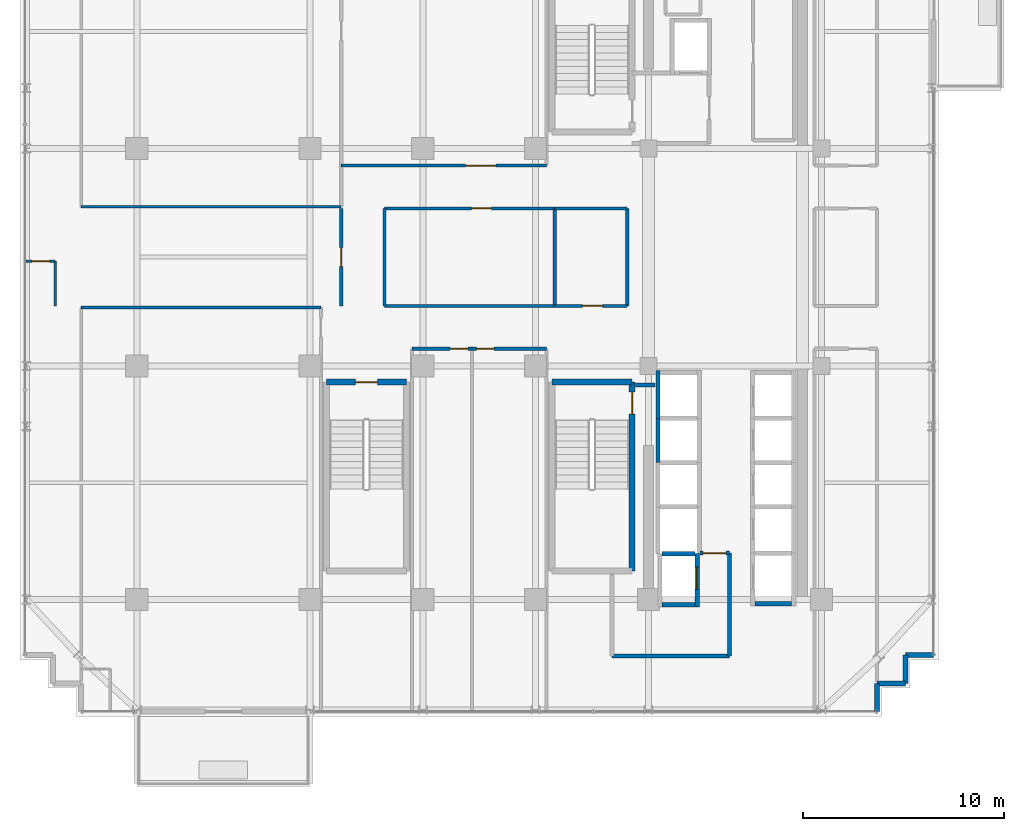
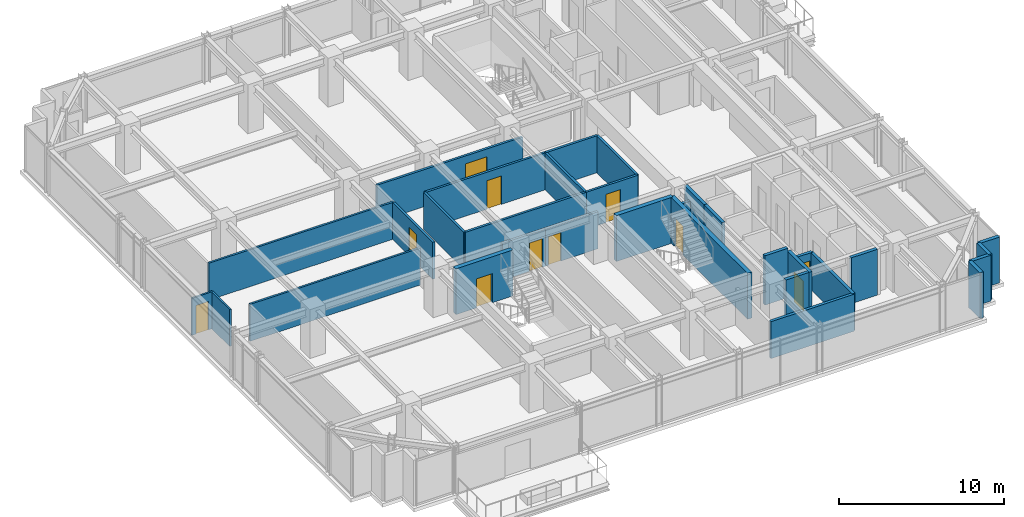
# One storey, part 25 of 31: 32 walls, 11 doors, 11 openings.
"""IFC4 building model written with IfcOpenShell, lengths in metres."""

from ifc_helpers import new_model, si_unit, direction, frame, frame_2d, origin, place, context, subcontext, project, spatial, rectangle, extrude, source, transform, mapped, material, layer, layer_set, type_object, element, fill, save


model = new_model("IFC4")

# Units and contexts
model_context = context("Model", 3, precision=1e-05, world=origin(), true_north=direction((0.0, 1.0)))
body_context = subcontext(model_context, "Body", "Model", "MODEL_VIEW")
ifc_project = project(units=[si_unit("LENGTHUNIT", "METRE"), si_unit("AREAUNIT", "SQUARE_METRE"), si_unit("VOLUMEUNIT", "CUBIC_METRE"), si_unit("PLANEANGLEUNIT", "RADIAN"), si_unit("MASSUNIT", "GRAM", prefix="KILO")], contexts=[model_context])

# Site, building, storey
site_placement = place(None, origin())
site = spatial("IfcSite", under=ifc_project, at=site_placement, CompositionType="ELEMENT")
building_placement = place(site_placement, origin())
building = spatial("IfcBuilding", under=site, at=building_placement, Name="Nahalor Promenade Grand Hotel", CompositionType="ELEMENT")
storey_placement = place(building_placement, frame((0.0, 0.0, 192.800048828125)))
storey = spatial("IfcBuildingStorey", under=building, at=storey_placement, Name="L49", CompositionType="ELEMENT", Elevation=192.800048828125)

# Wall
ifc_material_1 = material(Name="Concrete B-50 (C40/50)", Category="concrete")
ifc_layer_1 = layer(ifc_material_1, 0.300048828125)
ifc_layer_set_1 = layer_set([ifc_layer_1], Name="Concrete B-50 (C40/50)")
wall_type_1 = type_object("IfcWallType", Name="Wall-ShaftShear-300", PredefinedType="SHEAR", material=ifc_layer_set_1)
shared_shape_1 = source(origin(), body_context, "Body", "SweptSolid", [
    extrude(rectangle(XDim=3.97998046875, YDim=0.300048828125, at=frame_2d((1.989990234375, 0.0))), origin(), (0.0, 0.0, 1.0), 3.389892578125),
])
wall_1_placement = place(storey_placement, frame((3.610107421875, -6.2099609375, 0.0), z_axis=(0.0, 0.0, 1.0), x_axis=(1.0, 0.0, 0.0)))
element("IfcWall", 1, at=wall_1_placement, inside=storey, type_object=wall_type_1, Name="L49 Exit Stair ST2 Shaft Wall N", PredefinedType="SHEAR", context=body_context, shape_type="MappedRepresentation", body=[
    mapped(shared_shape_1, transform((0.0, 0.0, 0.0), scale=1.0)),
])

# Wall, opening, door
wall_2_placement = place(storey_placement, frame((-7.590087890625, -6.2099609375, 0.0), z_axis=(0.0, 0.0, 1.0), x_axis=(1.0, 0.0, 0.0)))
wall_2 = element("IfcWall", 2, at=wall_2_placement, inside=storey, type_object=wall_type_1, Name="L49 Exit Stair ST3 Shaft Wall N", PredefinedType="SHEAR", context=body_context, shape_type="MappedRepresentation", body=[
    mapped(shared_shape_1, transform((0.0, 0.0, 0.0), scale=1.0)),
])
opening_1_placement = place(wall_2_placement, frame((1.43994140625, 0.0, 0.0)))
opening_1 = element("IfcOpeningElement", 3, at=opening_1_placement, cuts=wall_2, Name="Opening D-ST1", PredefinedType="OPENING", context=body_context, shape_type="SweptSolid", body=[
    extrude(rectangle(XDim=1.10009765625, YDim=2.14990234375, at=frame_2d((0.550048828125, 1.074951171875))), frame((0.0, 0.159912109375, 0.0), z_axis=(0.0, -1.0, 0.0), x_axis=(1.0, 0.0, 0.0)), (0.0, 0.0, 1.0), 0.320068359375),
])
ifc_material_2 = material(Name="Steel S355JR", Category="steel")
door_type_1 = type_object("IfcDoorType", Name="Door-StairFire-1100", OperationType="NOTDEFINED", PredefinedType="DOOR", material=ifc_material_2)
shared_shape_2 = source(origin(), body_context, "Body", "SweptSolid", [
    extrude(rectangle(XDim=1.10009765625, YDim=2.14990234375, at=frame_2d((0.550048828125, 1.074951171875))), frame((0.0, 0.02490234375, 0.0), z_axis=(0.0, -1.0, 0.0), x_axis=(1.0, 0.0, 0.0)), (0.0, 0.0, 1.0), 0.050048828125),
])
door_1_placement = place(opening_1_placement, frame((1.10009765625, 0.0, 0.0), z_axis=(0.0, 0.0, 1.0), x_axis=(-1.0, 0.0, 0.0)))
door_1 = element("IfcDoor", 4, at=door_1_placement, inside=storey, type_object=door_type_1, Name="DR-STAIR-ST3-L49", OperationType="SINGLE_SWING_RIGHT", OverallHeight=2.14990234375, OverallWidth=1.10009765625, PredefinedType="DOOR", context=body_context, shape_type="MappedRepresentation", body=[
    mapped(shared_shape_2, transform((0.0, 0.0, 0.0), scale=1.0)),
])
fill(opening_1, door_1)

shared_shape_3 = source(origin(), body_context, "Body", "SweptSolid", [
    extrude(rectangle(XDim=9.380126953125, YDim=0.300048828125, at=frame_2d((4.68994140625, 0.0))), origin(), (0.0, 0.0, 1.0), 3.389892578125),
])
wall_3_placement = place(storey_placement, frame((7.590087890625, -15.590087890625, 0.0), z_axis=(0.0, 0.0, 1.0), x_axis=(0.0, 1.0, 0.0)))
wall_3 = element("IfcWall", 5, at=wall_3_placement, inside=storey, type_object=wall_type_1, Name="L49 Exit Stair ST2 Shaft Wall E", PredefinedType="SHEAR", context=body_context, shape_type="MappedRepresentation", body=[
    mapped(shared_shape_3, transform((0.0, 0.0, 0.0), scale=1.0)),
])
opening_2_placement = place(wall_3_placement, frame((7.7900390625, 0.0, 0.0)))
opening_2 = element("IfcOpeningElement", 6, at=opening_2_placement, cuts=wall_3, Name="Opening D-ST1", PredefinedType="OPENING", context=body_context, shape_type="SweptSolid", body=[
    extrude(rectangle(XDim=1.10009765625, YDim=2.14990234375, at=frame_2d((0.550048828125, 1.074951171875))), frame((0.0, 0.159912109375, 0.0), z_axis=(0.0, -1.0, 0.0), x_axis=(1.0, 0.0, 0.0)), (0.0, 0.0, 1.0), 0.320068359375),
])
door_2_placement = place(opening_2_placement, origin())
door_2 = element("IfcDoor", 7, at=door_2_placement, inside=storey, type_object=door_type_1, Name="DR-STAIR-ST2-L49", OperationType="SINGLE_SWING_RIGHT", OverallHeight=2.14990234375, OverallWidth=1.10009765625, PredefinedType="DOOR", context=body_context, shape_type="MappedRepresentation", body=[
    mapped(shared_shape_2, transform((0.0, 0.0, 0.0), scale=1.0)),
])
fill(opening_2, door_2)

# Walls
ifc_layer_2 = layer(ifc_material_1, 0.219970703125)
ifc_layer_set_2 = layer_set([ifc_layer_2], Name="Concrete B-50 (C40/50)")
wall_type_2 = type_object("IfcWallType", Name="Wall-LiftShaft-220", PredefinedType="SHEAR", material=ifc_layer_set_2)
shared_shape_4 = source(origin(), body_context, "Body", "SweptSolid", [
    extrude(rectangle(XDim=2.360107421875, YDim=0.219970703125, at=frame_2d((1.18017578125, 0.0))), origin(), (0.0, 0.0, 1.0), 3.389892578125),
])
wall_4_placement = place(storey_placement, frame((8.8798828125, -8.0, 0.0), z_axis=(0.0, 0.0, 1.0), x_axis=(0.0, 1.0, 0.0)))
element("IfcWall", 8, at=wall_4_placement, inside=storey, type_object=wall_type_2, Name="L49 Lift PL9 Hoistway Wall W", PredefinedType="SHEAR", context=body_context, shape_type="MappedRepresentation", body=[
    mapped(shared_shape_4, transform((0.0, 0.0, 0.0), scale=1.0)),
])
shared_shape_5 = source(origin(), body_context, "Body", "SweptSolid", [
    extrude(rectangle(XDim=1.820068359375, YDim=0.219970703125, at=frame_2d((0.91015625, 0.0))), origin(), (0.0, 0.0, 1.0), 3.389892578125),
])
wall_5_placement = place(storey_placement, frame((13.68994140625, -17.199951171875, 0.0), z_axis=(0.0, 0.0, 1.0), x_axis=(1.0, 0.0, 0.0)))
element("IfcWall", 9, at=wall_5_placement, inside=storey, type_object=wall_type_2, Name="L49 Lift SV2 Hoistway Wall S", PredefinedType="SHEAR", context=body_context, shape_type="MappedRepresentation", body=[
    mapped(shared_shape_5, transform((0.0, 0.0, 0.0), scale=1.0)),
])
shared_shape_6 = source(origin(), body_context, "Body", "SweptSolid", [
    extrude(rectangle(XDim=2.199951171875, YDim=0.219970703125, at=frame_2d((1.10009765625, 0.0))), origin(), (0.0, 0.0, 1.0), 3.389892578125),
])
wall_6_placement = place(storey_placement, frame((8.8798828125, -10.199951171875, 0.0), z_axis=(0.0, 0.0, 1.0), x_axis=(0.0, 1.0, 0.0)))
element("IfcWall", 10, at=wall_6_placement, inside=storey, type_object=wall_type_2, Name="L49 Lift PL10 Hoistway Wall W", PredefinedType="SHEAR", context=body_context, shape_type="MappedRepresentation", body=[
    mapped(shared_shape_6, transform((0.0, 0.0, 0.0), scale=1.0)),
])
shared_shape_7 = source(origin(), body_context, "Body", "SweptSolid", [
    extrude(rectangle(XDim=1.619873046875, YDim=0.219970703125, at=frame_2d((0.81005859375, 0.0))), origin(), (0.0, 0.0, 1.0), 3.64990234375),
])
wall_7_placement = place(storey_placement, frame((9.090087890625, -14.72509765625, 0.0), z_axis=(0.0, 0.0, 1.0), x_axis=(1.0, 0.0, 0.0)))
element("IfcWall", 11, at=wall_7_placement, inside=storey, type_object=wall_type_2, Name="L49 Lift FL2 Hoistway Wall N", PredefinedType="SHEAR", context=body_context, shape_type="MappedRepresentation", body=[
    mapped(shared_shape_7, transform((0.0, 0.0, 0.0), scale=1.0)),
])

# Wall, opening, door
shared_shape_8 = source(origin(), body_context, "Body", "SweptSolid", [
    extrude(rectangle(XDim=2.635009765625, YDim=0.219970703125, at=frame_2d((1.3173828125, 0.0))), origin(), (0.0, 0.0, 1.0), 3.389892578125),
])
wall_8_placement = place(storey_placement, frame((10.820068359375, -17.360107421875, 0.0), z_axis=(0.0, 0.0, 1.0), x_axis=(0.0, 1.0, 0.0)))
wall_8 = element("IfcWall", 12, at=wall_8_placement, inside=storey, type_object=wall_type_2, Name="L49 Lift FL2 Hoistway Wall E", PredefinedType="SHEAR", context=body_context, shape_type="MappedRepresentation", body=[
    mapped(shared_shape_8, transform((0.0, 0.0, 0.0), scale=1.0)),
])
opening_3_placement = place(wall_8_placement, frame((0.860107421875, 0.0, 0.0)))
opening_3 = element("IfcOpeningElement", 13, at=opening_3_placement, cuts=wall_8, Name="Opening LD-02", PredefinedType="OPENING", context=body_context, shape_type="SweptSolid", body=[
    extrude(rectangle(XDim=1.10009765625, YDim=2.199951171875, at=frame_2d((0.550048828125, 1.10009765625))), frame((0.0, 0.119873046875, 0.0), z_axis=(0.0, -1.0, 0.0), x_axis=(1.0, 0.0, 0.0)), (0.0, 0.0, 1.0), 0.239990234375),
])
door_type_2 = type_object("IfcDoorType", Name="Door-LiftFF-1100", OperationType="DOUBLE_DOOR_SLIDING", PredefinedType="DOOR", material=ifc_material_2)
shared_shape_9 = source(origin(), body_context, "Body", "SweptSolid", [
    extrude(rectangle(XDim=1.10009765625, YDim=2.199951171875, at=frame_2d((0.550048828125, 1.10009765625))), frame((0.0, 0.02490234375, 0.0), z_axis=(0.0, -1.0, 0.0), x_axis=(1.0, 0.0, 0.0)), (0.0, 0.0, 1.0), 0.050048828125),
])
door_3_placement = place(opening_3_placement, frame((1.10009765625, 0.0, 0.0), z_axis=(0.0, 0.0, 1.0), x_axis=(-1.0, 0.0, 0.0)))
door_3 = element("IfcDoor", 14, at=door_3_placement, inside=storey, type_object=door_type_2, Name="DR-LIFT-FL2-L49", OperationType="DOUBLE_DOOR_SLIDING", OverallHeight=2.199951171875, OverallWidth=1.10009765625, PredefinedType="DOOR", context=body_context, shape_type="MappedRepresentation", body=[
    mapped(shared_shape_9, transform((0.0, 0.0, 0.0), scale=1.0)),
])
fill(opening_3, door_3)

# Walls
shared_shape_10 = source(origin(), body_context, "Body", "SweptSolid", [
    extrude(rectangle(XDim=1.619873046875, YDim=0.219970703125, at=frame_2d((0.81005859375, 0.0))), origin(), (0.0, 0.0, 1.0), 3.389892578125),
])
wall_9_placement = place(storey_placement, frame((9.090087890625, -17.25, 0.0), z_axis=(0.0, 0.0, 1.0), x_axis=(1.0, 0.0, 0.0)))
element("IfcWall", 15, at=wall_9_placement, inside=storey, type_object=wall_type_2, Name="L49 Lift FL2 Hoistway Wall S", PredefinedType="SHEAR", context=body_context, shape_type="MappedRepresentation", body=[
    mapped(shared_shape_10, transform((0.0, 0.0, 0.0), scale=1.0)),
])
ifc_material_3 = material(Name="Concrete B-40 (C32/40)", Category="concrete")
ifc_layer_3 = layer(ifc_material_3, 0.25)
ifc_layer_set_3 = layer_set([ifc_layer_3], Name="Concrete B-40 (C32/40)")
wall_type_3 = type_object("IfcWallType", Name="Wall-BronzePier-250", PredefinedType="STANDARD", material=ifc_layer_set_3)
shared_shape_11 = source(origin(), body_context, "Body", "SweptSolid", [
    extrude(rectangle(XDim=1.400146484375, YDim=0.25, at=frame_2d((0.7001953125, 0.0))), origin(), (0.0, 0.0, 1.0), 3.389892578125),
])
for number, where, z_axis, x_axis, name in (
    (16, (19.760009765625, -22.56005859375, 0.0), (0.0, 0.0, 1.0), (0.0, 1.0, 0.0), "W-L49-SR-01"),
    (17, (21.159912109375, -19.760009765625, 0.0), (0.0, 0.0, 1.0), (1.0, 0.0, 0.0), "W-L49-SR-04"),
):
    element("IfcWall", number, at=place(storey_placement, frame(where, z_axis=z_axis, x_axis=x_axis)), inside=storey, type_object=wall_type_3, Name=name, PredefinedType="STANDARD", context=body_context, shape_type="MappedRepresentation", body=[
        mapped(shared_shape_11, transform((0.0, 0.0, 0.0), scale=1.0)),
    ])
shared_shape_12 = source(origin(), body_context, "Body", "SweptSolid", [
    extrude(rectangle(XDim=1.39990234375, YDim=0.25, at=frame_2d((0.699951171875, 0.0))), origin(), (0.0, 0.0, 1.0), 3.389892578125),
])
for number, where, z_axis, x_axis, name in (
    (18, (19.760009765625, -21.159912109375, 0.0), (0.0, 0.0, 1.0), (1.0, 0.0, 0.0), "W-L49-SR-02"),
    (19, (21.159912109375, -21.159912109375, 0.0), (0.0, 0.0, 1.0), (0.0, 1.0, 0.0), "W-L49-SR-03"),
):
    element("IfcWall", number, at=place(storey_placement, frame(where, z_axis=z_axis, x_axis=x_axis)), inside=storey, type_object=wall_type_3, Name=name, PredefinedType="STANDARD", context=body_context, shape_type="MappedRepresentation", body=[
        mapped(shared_shape_12, transform((0.0, 0.0, 0.0), scale=1.0)),
    ])
ifc_layer_4 = layer(ifc_material_3, 0.199951171875)
ifc_layer_set_4 = layer_set([ifc_layer_4], Name="Concrete B-40 (C32/40)")
wall_type_4 = type_object("IfcWallType", Name="Wall-PartFire-200", PredefinedType="PARTITIONING", material=ifc_layer_set_4)
shared_shape_13 = source(origin(), body_context, "Body", "SweptSolid", [
    extrude(rectangle(XDim=5.81982421875, YDim=0.199951171875, at=frame_2d((2.909912109375, 0.0))), origin(), (0.0, 0.0, 1.0), 2.72998046875),
])
wall_10_placement = place(storey_placement, frame((6.60009765625, -19.800048828125, 0.0), z_axis=(0.0, 0.0, 1.0), x_axis=(1.0, 0.0, 0.0)))
element("IfcWall", 20, at=wall_10_placement, inside=storey, type_object=wall_type_4, Name="W-L49-FF2-S1", PredefinedType="PARTITIONING", context=body_context, shape_type="MappedRepresentation", body=[
    mapped(shared_shape_13, transform((0.0, 0.0, 0.0), scale=1.0)),
])
shared_shape_14 = source(origin(), body_context, "Body", "SweptSolid", [
    extrude(rectangle(XDim=5.10009765625, YDim=0.199951171875, at=frame_2d((2.550048828125, 0.0))), origin(), (0.0, 0.0, 1.0), 2.72998046875),
])
wall_11_placement = place(storey_placement, frame((12.419921875, -19.800048828125, 0.0), z_axis=(0.0, 0.0, 1.0), x_axis=(0.0, 1.0, 0.0)))
element("IfcWall", 21, at=wall_11_placement, inside=storey, type_object=wall_type_4, Name="W-L49-FF2-E", PredefinedType="PARTITIONING", context=body_context, shape_type="MappedRepresentation", body=[
    mapped(shared_shape_14, transform((0.0, 0.0, 0.0), scale=1.0)),
])

# Wall, opening, door
shared_shape_15 = source(origin(), body_context, "Body", "SweptSolid", [
    extrude(rectangle(XDim=1.4599609375, YDim=0.199951171875, at=frame_2d((0.72998046875, 0.0))), origin(), (0.0, 0.0, 1.0), 2.72998046875),
])
wall_12_placement = place(storey_placement, frame((10.9599609375, -14.699951171875, 0.0), z_axis=(0.0, 0.0, 1.0), x_axis=(1.0, 0.0, 0.0)))
wall_12 = element("IfcWall", 22, at=wall_12_placement, inside=storey, type_object=wall_type_4, Name="W-L49-FF2-N1", PredefinedType="PARTITIONING", context=body_context, shape_type="MappedRepresentation", body=[
    mapped(shared_shape_15, transform((0.0, 0.0, 0.0), scale=1.0)),
])
opening_4_placement = place(wall_12_placement, frame((0.14501953125, 0.0, 0.0)))
opening_4 = element("IfcOpeningElement", 23, at=opening_4_placement, cuts=wall_12, Name="Opening D-FF1", PredefinedType="OPENING", context=body_context, shape_type="SweptSolid", body=[
    extrude(rectangle(XDim=1.14990234375, YDim=2.14990234375, at=frame_2d((0.574951171875, 1.074951171875))), frame((0.0, 0.10986328125, 0.0), z_axis=(0.0, -1.0, 0.0), x_axis=(1.0, 0.0, 0.0)), (0.0, 0.0, 1.0), 0.219970703125),
])
door_type_3 = type_object("IfcDoorType", Name="Door-FFLobby-1150", OperationType="NOTDEFINED", PredefinedType="DOOR", material=ifc_material_2)
shared_shape_16 = source(origin(), body_context, "Body", "SweptSolid", [
    extrude(rectangle(XDim=1.14990234375, YDim=2.14990234375, at=frame_2d((0.574951171875, 1.074951171875))), frame((0.0, 0.02490234375, 0.0), z_axis=(0.0, -1.0, 0.0), x_axis=(1.0, 0.0, 0.0)), (0.0, 0.0, 1.0), 0.050048828125),
])
door_4_placement = place(opening_4_placement, origin())
door_4 = element("IfcDoor", 24, at=door_4_placement, inside=storey, type_object=door_type_3, Name="DR-L49-FFL2", OperationType="SINGLE_SWING_LEFT", OverallHeight=2.14990234375, OverallWidth=1.14990234375, PredefinedType="DOOR", context=body_context, shape_type="MappedRepresentation", body=[
    mapped(shared_shape_16, transform((0.0, 0.0, 0.0), scale=1.0)),
])
fill(opening_4, door_4)

# Wall
shared_shape_17 = source(origin(), body_context, "Body", "SweptSolid", [
    extrude(rectangle(XDim=0.969970703125, YDim=0.199951171875, at=frame_2d((0.48486328125, 0.0))), origin(), (0.0, 0.0, 1.0), 2.72998046875),
])
wall_13_placement = place(storey_placement, frame((7.77001953125, -6.35009765625, 0.0), z_axis=(0.0, 0.0, 1.0), x_axis=(1.0, 0.0, 0.0)))
element("IfcWall", 25, at=wall_13_placement, inside=storey, type_object=wall_type_4, Name="W-L49-FF2-N2", PredefinedType="PARTITIONING", context=body_context, shape_type="MappedRepresentation", body=[
    mapped(shared_shape_17, transform((0.0, 0.0, 0.0), scale=1.0)),
])

# Wall, opening, door
ifc_material_4 = material(Name="Acoustic Mineral Gypsum", Category="gypsum")
ifc_layer_5 = layer(ifc_material_4, 0.1201171875)
ifc_layer_set_5 = layer_set([ifc_layer_5], Name="Acoustic Mineral Gypsum")
wall_type_5 = type_object("IfcWallType", Name="Wall-PartBath-120", PredefinedType="PARTITIONING", material=ifc_layer_set_5)
shared_shape_18 = source(origin(), body_context, "Body", "SweptSolid", [
    extrude(rectangle(XDim=1.449951171875, YDim=0.1201171875, at=frame_2d((0.72509765625, 0.0))), origin(), (0.0, 0.0, 1.0), 2.72998046875),
])
wall_14_placement = place(storey_placement, frame((-22.5, -0.199951171875, 0.0), z_axis=(0.0, 0.0, 1.0), x_axis=(1.0, 0.0, 0.0)))
wall_14 = element("IfcWall", 26, at=wall_14_placement, inside=storey, type_object=wall_type_5, Name="W-L49-W1-BH", PredefinedType="PARTITIONING", context=body_context, shape_type="MappedRepresentation", body=[
    mapped(shared_shape_18, transform((0.0, 0.0, 0.0), scale=1.0)),
])
opening_5_placement = place(wall_14_placement, frame((0.284912109375, 0.0, 0.0)))
opening_5 = element("IfcOpeningElement", 27, at=opening_5_placement, cuts=wall_14, Name="Opening D-03", PredefinedType="OPENING", context=body_context, shape_type="SweptSolid", body=[
    extrude(rectangle(XDim=0.8798828125, YDim=2.10009765625, at=frame_2d((0.43994140625, 1.050048828125))), frame((0.0, 0.070068359375, 0.0), z_axis=(0.0, -1.0, 0.0), x_axis=(1.0, 0.0, 0.0)), (0.0, 0.0, 1.0), 0.14013671875),
])
ifc_material_5 = material(Name="Fire-Rated Timber Composite", Category="wood")
door_type_4 = type_object("IfcDoorType", Name="Door-BathSwing-880", OperationType="NOTDEFINED", PredefinedType="DOOR", material=ifc_material_5)
shared_shape_19 = source(origin(), body_context, "Body", "SweptSolid", [
    extrude(rectangle(XDim=0.8798828125, YDim=2.10009765625, at=frame_2d((0.43994140625, 1.050048828125))), frame((0.0, 0.02490234375, 0.0), z_axis=(0.0, -1.0, 0.0), x_axis=(1.0, 0.0, 0.0)), (0.0, 0.0, 1.0), 0.050048828125),
])
door_5_placement = place(opening_5_placement, frame((0.8798828125, 0.0, 0.0), z_axis=(0.0, 0.0, 1.0), x_axis=(-1.0, 0.0, 0.0)))
door_5 = element("IfcDoor", 28, at=door_5_placement, inside=storey, type_object=door_type_4, Name="DR-L49-W1-BATH", OperationType="SINGLE_SWING_LEFT", OverallHeight=2.10009765625, OverallWidth=0.8798828125, PredefinedType="DOOR", context=body_context, shape_type="MappedRepresentation", body=[
    mapped(shared_shape_19, transform((0.0, 0.0, 0.0), scale=1.0)),
])
fill(opening_5, door_5)

# Wall
shared_shape_20 = source(origin(), body_context, "Body", "SweptSolid", [
    extrude(rectangle(XDim=2.219970703125, YDim=0.1201171875, at=frame_2d((1.10986328125, 0.0))), origin(), (0.0, 0.0, 1.0), 2.72998046875),
])
wall_15_placement = place(storey_placement, frame((-21.050048828125, -2.419921875, 0.0), z_axis=(0.0, 0.0, 1.0), x_axis=(0.0, 1.0, 0.0)))
element("IfcWall", 29, at=wall_15_placement, inside=storey, type_object=wall_type_5, Name="W-L49-W1-BV", PredefinedType="PARTITIONING", context=body_context, shape_type="MappedRepresentation", body=[
    mapped(shared_shape_20, transform((0.0, 0.0, 0.0), scale=1.0)),
])

# Wall, opening, door
ifc_layer_6 = layer(ifc_material_4, 0.159912109375)
ifc_layer_set_6 = layer_set([ifc_layer_6], Name="Acoustic Mineral Gypsum")
wall_type_6 = type_object("IfcWallType", Name="Wall-PartCorridor-160", PredefinedType="PARTITIONING", material=ifc_layer_set_6)
shared_shape_21 = source(origin(), body_context, "Body", "SweptSolid", [
    extrude(rectangle(XDim=4.83984375, YDim=0.159912109375, at=frame_2d((2.419921875, 0.0))), origin(), (0.0, 0.0, 1.0), 2.72998046875),
])
wall_16_placement = place(storey_placement, frame((-6.85009765625, -2.419921875, 0.0), z_axis=(0.0, 0.0, 1.0), x_axis=(0.0, 1.0, 0.0)))
wall_16 = element("IfcWall", 30, at=wall_16_placement, inside=storey, type_object=wall_type_6, Name="W-L49-WEST-E", PredefinedType="PARTITIONING", context=body_context, shape_type="MappedRepresentation", body=[
    mapped(shared_shape_21, transform((0.0, 0.0, 0.0), scale=1.0)),
])
opening_6_placement = place(wall_16_placement, frame((1.945068359375, 0.0, 0.0)))
opening_6 = element("IfcOpeningElement", 31, at=opening_6_placement, cuts=wall_16, Name="Opening D-01", PredefinedType="OPENING", context=body_context, shape_type="SweptSolid", body=[
    extrude(rectangle(XDim=0.949951171875, YDim=2.10009765625, at=frame_2d((0.47509765625, 1.050048828125))), frame((0.0, 0.08984375, 0.0), z_axis=(0.0, -1.0, 0.0), x_axis=(1.0, 0.0, 0.0)), (0.0, 0.0, 1.0), 0.179931640625),
])
door_type_5 = type_object("IfcDoorType", Name="Door-GuestEntry-950", OperationType="NOTDEFINED", PredefinedType="DOOR", material=ifc_material_5)
shared_shape_22 = source(origin(), body_context, "Body", "SweptSolid", [
    extrude(rectangle(XDim=0.949951171875, YDim=2.10009765625, at=frame_2d((0.47509765625, 1.050048828125))), frame((0.0, 0.02490234375, 0.0), z_axis=(0.0, -1.0, 0.0), x_axis=(1.0, 0.0, 0.0)), (0.0, 0.0, 1.0), 0.050048828125),
])
door_6_placement = place(opening_6_placement, origin())
door_6 = element("IfcDoor", 32, at=door_6_placement, inside=storey, type_object=door_type_5, Name="DR-L49-W1-ENT", OperationType="SINGLE_SWING_RIGHT", OverallHeight=2.10009765625, OverallWidth=0.949951171875, PredefinedType="DOOR", context=body_context, shape_type="MappedRepresentation", body=[
    mapped(shared_shape_22, transform((0.0, 0.0, 0.0), scale=1.0)),
])
fill(opening_6, door_6)

# Walls
for number, where, z_axis, x_axis, name in (
    (33, (-4.699951171875, -2.419921875, 0.0), (0.0, 0.0, 1.0), (0.0, 1.0, 0.0), "W-L49-CM1-W"),
    (34, (3.75, -2.419921875, 0.0), (0.0, 0.0, 1.0), (0.0, 1.0, 0.0), "W-L49-CM1-E"),
    (35, (7.35009765625, -2.419921875, 0.0), (0.0, 0.0, 1.0), (0.0, 1.0, 0.0), "W-L49-CM2-E"),
):
    element("IfcWall", number, at=place(storey_placement, frame(where, z_axis=z_axis, x_axis=x_axis)), inside=storey, type_object=wall_type_6, Name=name, PredefinedType="PARTITIONING", context=body_context, shape_type="MappedRepresentation", body=[
        mapped(shared_shape_21, transform((0.0, 0.0, 0.0), scale=1.0)),
    ])

# Wall, opening, door
shared_shape_23 = source(origin(), body_context, "Body", "SweptSolid", [
    extrude(rectangle(XDim=2.989990234375, YDim=0.159912109375, at=frame_2d((1.4951171875, 0.0))), origin(), (0.0, 0.0, 1.0), 2.72998046875),
])
wall_17_placement = place(storey_placement, frame((-3.340087890625, -4.550048828125, 0.0), z_axis=(0.0, 0.0, 1.0), x_axis=(1.0, 0.0, 0.0)))
wall_17 = element("IfcWall", 36, at=wall_17_placement, inside=storey, type_object=wall_type_6, Name="W-L49-SCB1-N", PredefinedType="PARTITIONING", context=body_context, shape_type="MappedRepresentation", body=[
    mapped(shared_shape_23, transform((0.0, 0.0, 0.0), scale=1.0)),
])
opening_7_placement = place(wall_17_placement, frame((1.89990234375, 0.0, 0.0)))
opening_7 = element("IfcOpeningElement", 37, at=opening_7_placement, cuts=wall_17, Name="Opening D-03", PredefinedType="OPENING", context=body_context, shape_type="SweptSolid", body=[
    extrude(rectangle(XDim=0.8798828125, YDim=2.10009765625, at=frame_2d((0.43994140625, 1.050048828125))), frame((0.0, 0.08984375, 0.0), z_axis=(0.0, -1.0, 0.0), x_axis=(1.0, 0.0, 0.0)), (0.0, 0.0, 1.0), 0.179931640625),
])
door_7_placement = place(opening_7_placement, frame((0.8798828125, 0.0, 0.0), z_axis=(0.0, 0.0, 1.0), x_axis=(-1.0, 0.0, 0.0)))
door_7 = element("IfcDoor", 38, at=door_7_placement, inside=storey, type_object=door_type_4, Name="DR-L49-SCB1", OperationType="SINGLE_SWING_LEFT", OverallHeight=2.10009765625, OverallWidth=0.8798828125, PredefinedType="DOOR", context=body_context, shape_type="MappedRepresentation", body=[
    mapped(shared_shape_19, transform((0.0, 0.0, 0.0), scale=1.0)),
])
fill(opening_7, door_7)

shared_shape_24 = source(origin(), body_context, "Body", "SweptSolid", [
    extrude(rectangle(XDim=3.690185546875, YDim=0.159912109375, at=frame_2d((1.84521484375, 0.0))), origin(), (0.0, 0.0, 1.0), 2.72998046875),
])
wall_18_placement = place(storey_placement, frame((-0.35009765625, -4.550048828125, 0.0), z_axis=(0.0, 0.0, 1.0), x_axis=(1.0, 0.0, 0.0)))
wall_18 = element("IfcWall", 39, at=wall_18_placement, inside=storey, type_object=wall_type_6, Name="W-L49-SCB2-N", PredefinedType="PARTITIONING", context=body_context, shape_type="MappedRepresentation", body=[
    mapped(shared_shape_24, transform((0.0, 0.0, 0.0), scale=1.0)),
])
opening_8_placement = place(wall_18_placement, frame((0.2099609375, 0.0, 0.0)))
opening_8 = element("IfcOpeningElement", 40, at=opening_8_placement, cuts=wall_18, Name="Opening D-03", PredefinedType="OPENING", context=body_context, shape_type="SweptSolid", body=[
    extrude(rectangle(XDim=0.8798828125, YDim=2.10009765625, at=frame_2d((0.43994140625, 1.050048828125))), frame((0.0, 0.08984375, 0.0), z_axis=(0.0, -1.0, 0.0), x_axis=(1.0, 0.0, 0.0)), (0.0, 0.0, 1.0), 0.179931640625),
])
door_8_placement = place(opening_8_placement, frame((0.8798828125, 0.0, 0.0), z_axis=(0.0, 0.0, 1.0), x_axis=(-1.0, 0.0, 0.0)))
door_8 = element("IfcDoor", 41, at=door_8_placement, inside=storey, type_object=door_type_4, Name="DR-L49-SCB2", OperationType="SINGLE_SWING_RIGHT", OverallHeight=2.10009765625, OverallWidth=0.8798828125, PredefinedType="DOOR", context=body_context, shape_type="MappedRepresentation", body=[
    mapped(shared_shape_19, transform((0.0, 0.0, 0.0), scale=1.0)),
])
fill(opening_8, door_8)

# Wall
ifc_layer_7 = layer(ifc_material_4, 0.139892578125)
ifc_layer_set_7 = layer_set([ifc_layer_7], Name="Acoustic Mineral Gypsum")
wall_type_7 = type_object("IfcWallType", Name="Wall-PartSuite-140", PredefinedType="PARTITIONING", material=ifc_layer_set_7)
shared_shape_25 = source(origin(), body_context, "Body", "SweptSolid", [
    extrude(rectangle(XDim=12.909912109375, YDim=0.139892578125, at=frame_2d((6.455078125, 0.0))), origin(), (0.0, 0.0, 1.0), 2.72998046875),
])
wall_19_placement = place(storey_placement, frame((-19.760009765625, 2.5, 0.0), z_axis=(0.0, 0.0, 1.0), x_axis=(1.0, 0.0, 0.0)))
element("IfcWall", 42, at=wall_19_placement, inside=storey, type_object=wall_type_7, Name="W-L49-ZNW-S", PredefinedType="PARTITIONING", context=body_context, shape_type="MappedRepresentation", body=[
    mapped(shared_shape_25, transform((0.0, 0.0, 0.0), scale=1.0)),
])

# Wall, opening, door
shared_shape_26 = source(origin(), body_context, "Body", "SweptSolid", [
    extrude(rectangle(XDim=10.190185546875, YDim=0.159912109375, at=frame_2d((5.09521484375, 0.0))), origin(), (0.0, 0.0, 1.0), 2.72998046875),
])
wall_20_placement = place(storey_placement, frame((-6.85009765625, 4.550048828125, 0.0), z_axis=(0.0, 0.0, 1.0), x_axis=(1.0, 0.0, 0.0)))
wall_20 = element("IfcWall", 43, at=wall_20_placement, inside=storey, type_object=wall_type_6, Name="W-L49-CORR-N", PredefinedType="PARTITIONING", context=body_context, shape_type="MappedRepresentation", body=[
    mapped(shared_shape_26, transform((0.0, 0.0, 0.0), scale=1.0)),
])
opening_9_placement = place(wall_20_placement, frame((6.177978515625, 0.0, 0.0)))
opening_9 = element("IfcOpeningElement", 44, at=opening_9_placement, cuts=wall_20, Name="Opening D-02", PredefinedType="OPENING", context=body_context, shape_type="SweptSolid", body=[
    extrude(rectangle(XDim=1.5, YDim=2.14990234375, at=frame_2d((0.75, 1.074951171875))), frame((0.0, 0.08984375, 0.0), z_axis=(0.0, -1.0, 0.0), x_axis=(1.0, 0.0, 0.0)), (0.0, 0.0, 1.0), 0.179931640625),
])
door_type_6 = type_object("IfcDoorType", Name="Door-SuiteDouble-1500", OperationType="DOUBLE_DOOR_SINGLE_SWING", PredefinedType="DOOR", material=ifc_material_5)
shared_shape_27 = source(origin(), body_context, "Body", "SweptSolid", [
    extrude(rectangle(XDim=1.5, YDim=2.14990234375, at=frame_2d((0.75, 1.074951171875))), frame((0.0, 0.02490234375, 0.0), z_axis=(0.0, -1.0, 0.0), x_axis=(1.0, 0.0, 0.0)), (0.0, 0.0, 1.0), 0.050048828125),
])
door_9_placement = place(opening_9_placement, origin())
door_9 = element("IfcDoor", 45, at=door_9_placement, inside=storey, type_object=door_type_6, Name="DR-L49-N1-ENT", OperationType="DOUBLE_DOOR_SINGLE_SWING", OverallHeight=2.14990234375, OverallWidth=1.5, PredefinedType="DOOR", context=body_context, shape_type="MappedRepresentation", body=[
    mapped(shared_shape_27, transform((0.0, 0.0, 0.0), scale=1.0)),
])
fill(opening_9, door_9)

# Walls
shared_shape_28 = source(origin(), body_context, "Body", "SweptSolid", [
    extrude(rectangle(XDim=11.89990234375, YDim=0.139892578125, at=frame_2d((5.949951171875, 0.0))), origin(), (0.0, 0.0, 1.0), 2.72998046875),
])
wall_21_placement = place(storey_placement, frame((-19.760009765625, -2.5, 0.0), z_axis=(0.0, 0.0, 1.0), x_axis=(1.0, 0.0, 0.0)))
element("IfcWall", 46, at=wall_21_placement, inside=storey, type_object=wall_type_7, Name="W-L49-ZSW-N", PredefinedType="PARTITIONING", context=body_context, shape_type="MappedRepresentation", body=[
    mapped(shared_shape_28, transform((0.0, 0.0, 0.0), scale=1.0)),
])
shared_shape_29 = source(origin(), body_context, "Body", "SweptSolid", [
    extrude(rectangle(XDim=8.449951171875, YDim=0.159912109375, at=frame_2d((4.22509765625, 0.0))), origin(), (0.0, 0.0, 1.0), 2.72998046875),
])
wall_22_placement = place(storey_placement, frame((-4.699951171875, -2.419921875, 0.0), z_axis=(0.0, 0.0, 1.0), x_axis=(1.0, 0.0, 0.0)))
element("IfcWall", 47, at=wall_22_placement, inside=storey, type_object=wall_type_6, Name="W-L49-CM1-S", PredefinedType="PARTITIONING", context=body_context, shape_type="MappedRepresentation", body=[
    mapped(shared_shape_29, transform((0.0, 0.0, 0.0), scale=1.0)),
])

# Wall, opening, door
wall_23_placement = place(storey_placement, frame((-4.699951171875, 2.419921875, 0.0), z_axis=(0.0, 0.0, 1.0), x_axis=(1.0, 0.0, 0.0)))
wall_23 = element("IfcWall", 48, at=wall_23_placement, inside=storey, type_object=wall_type_6, Name="W-L49-CM1-N", PredefinedType="PARTITIONING", context=body_context, shape_type="MappedRepresentation", body=[
    mapped(shared_shape_29, transform((0.0, 0.0, 0.0), scale=1.0)),
])
opening_10_placement = place(wall_23_placement, frame((4.306884765625, 0.0, 0.0)))
opening_10 = element("IfcOpeningElement", 49, at=opening_10_placement, cuts=wall_23, Name="Opening D-04", PredefinedType="OPENING", context=body_context, shape_type="SweptSolid", body=[
    extrude(rectangle(XDim=1.0, YDim=2.10009765625, at=frame_2d((0.5, 1.050048828125))), frame((0.0, 0.08984375, 0.0), z_axis=(0.0, -1.0, 0.0), x_axis=(1.0, 0.0, 0.0)), (0.0, 0.0, 1.0), 0.179931640625),
])
door_type_7 = type_object("IfcDoorType", Name="Door-ServiceFire-1000", OperationType="NOTDEFINED", PredefinedType="DOOR", material=ifc_material_2)
shared_shape_30 = source(origin(), body_context, "Body", "SweptSolid", [
    extrude(rectangle(XDim=1.0, YDim=2.10009765625, at=frame_2d((0.5, 1.050048828125))), frame((0.0, 0.02490234375, 0.0), z_axis=(0.0, -1.0, 0.0), x_axis=(1.0, 0.0, 0.0)), (0.0, 0.0, 1.0), 0.050048828125),
])
door_10_placement = place(opening_10_placement, frame((1.0, 0.0, 0.0), z_axis=(0.0, 0.0, 1.0), x_axis=(-1.0, 0.0, 0.0)))
door_10 = element("IfcDoor", 50, at=door_10_placement, inside=storey, type_object=door_type_7, Name="DR-L49-CM1", OperationType="SINGLE_SWING_LEFT", OverallHeight=2.10009765625, OverallWidth=1.0, PredefinedType="DOOR", context=body_context, shape_type="MappedRepresentation", body=[
    mapped(shared_shape_30, transform((0.0, 0.0, 0.0), scale=1.0)),
])
fill(opening_10, door_10)

shared_shape_31 = source(origin(), body_context, "Body", "SweptSolid", [
    extrude(rectangle(XDim=3.60009765625, YDim=0.159912109375, at=frame_2d((1.800048828125, 0.0))), origin(), (0.0, 0.0, 1.0), 2.72998046875),
])
wall_24_placement = place(storey_placement, frame((3.75, -2.419921875, 0.0), z_axis=(0.0, 0.0, 1.0), x_axis=(1.0, 0.0, 0.0)))
wall_24 = element("IfcWall", 51, at=wall_24_placement, inside=storey, type_object=wall_type_6, Name="W-L49-CM2-S", PredefinedType="PARTITIONING", context=body_context, shape_type="MappedRepresentation", body=[
    mapped(shared_shape_31, transform((0.0, 0.0, 0.0), scale=1.0)),
])
opening_11_placement = place(wall_24_placement, frame((1.3798828125, 0.0, 0.0)))
opening_11 = element("IfcOpeningElement", 52, at=opening_11_placement, cuts=wall_24, Name="Opening D-04", PredefinedType="OPENING", context=body_context, shape_type="SweptSolid", body=[
    extrude(rectangle(XDim=1.0, YDim=2.10009765625, at=frame_2d((0.5, 1.050048828125))), frame((0.0, 0.08984375, 0.0), z_axis=(0.0, -1.0, 0.0), x_axis=(1.0, 0.0, 0.0)), (0.0, 0.0, 1.0), 0.179931640625),
])
door_11_placement = place(opening_11_placement, origin())
door_11 = element("IfcDoor", 53, at=door_11_placement, inside=storey, type_object=door_type_7, Name="DR-L49-CM2", OperationType="SINGLE_SWING_RIGHT", OverallHeight=2.10009765625, OverallWidth=1.0, PredefinedType="DOOR", context=body_context, shape_type="MappedRepresentation", body=[
    mapped(shared_shape_30, transform((0.0, 0.0, 0.0), scale=1.0)),
])
fill(opening_11, door_11)

# Wall
wall_25_placement = place(storey_placement, frame((3.75, 2.419921875, 0.0), z_axis=(0.0, 0.0, 1.0), x_axis=(1.0, 0.0, 0.0)))
element("IfcWall", 54, at=wall_25_placement, inside=storey, type_object=wall_type_6, Name="W-L49-CM2-N", PredefinedType="PARTITIONING", context=body_context, shape_type="MappedRepresentation", body=[
    mapped(shared_shape_31, transform((0.0, 0.0, 0.0), scale=1.0)),
])

save(model, "model.ifc")
